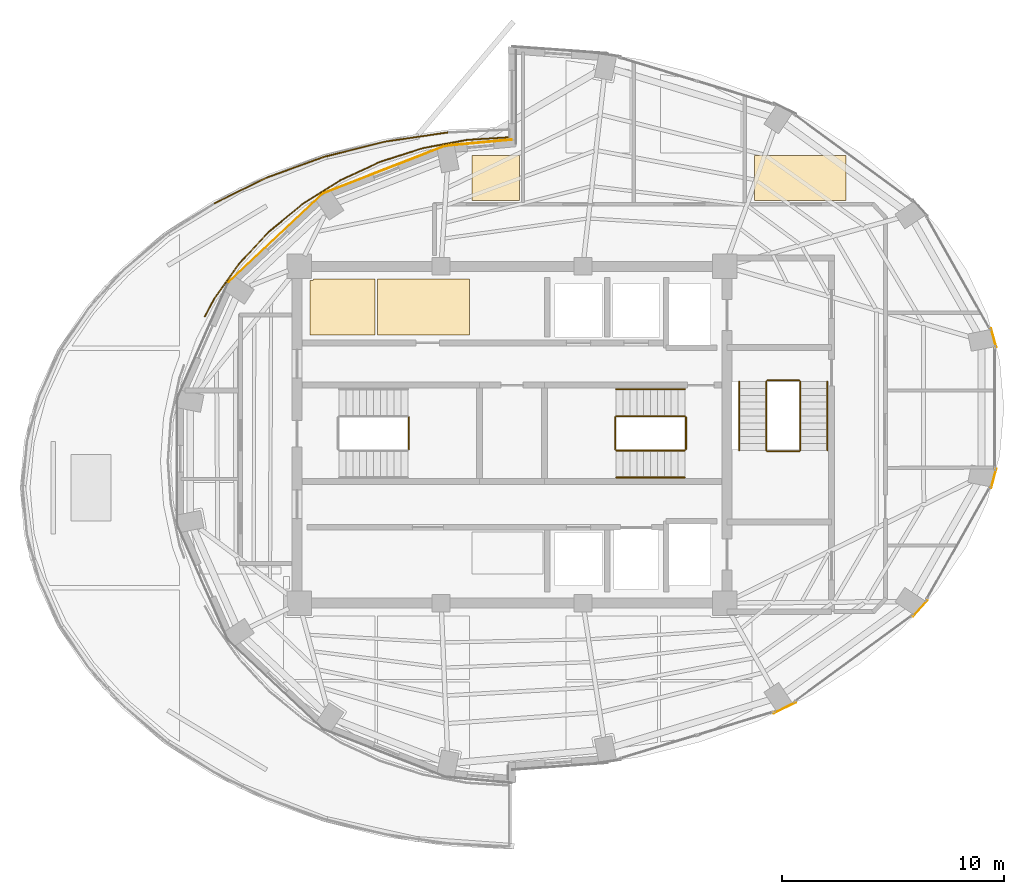
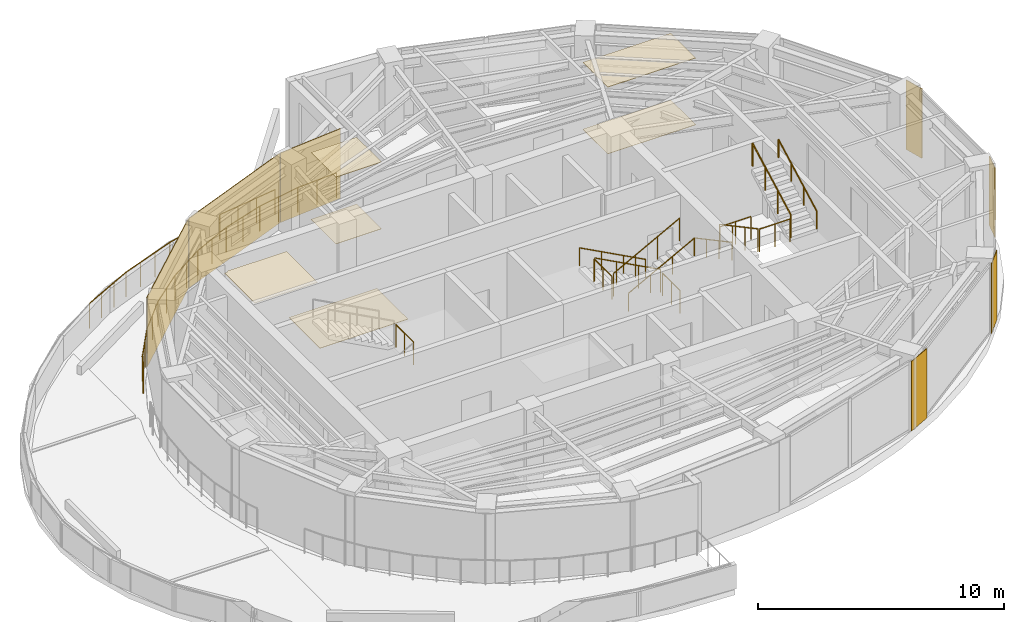
# One storey, part 14 of 15: 26 railings, 13 coverings.
"""IFC4 building model written with IfcOpenShell, lengths in metres."""

from ifc_helpers import new_model, si_unit, direction, frame, origin, origin_2d, place, context, subcontext, project, spatial, polyline, rectangle, circle, outline, extrude, material, layer, layer_set, type_object, element, save


model = new_model("IFC4")

# Units and contexts
model_context = context("Model", 3, precision=1e-05, world=origin(), true_north=direction((0.0, 1.0)))
body_context = subcontext(model_context, "Body", "Model", "MODEL_VIEW")
ifc_project = project(units=[si_unit("LENGTHUNIT", "METRE"), si_unit("AREAUNIT", "SQUARE_METRE"), si_unit("VOLUMEUNIT", "CUBIC_METRE"), si_unit("PLANEANGLEUNIT", "RADIAN"), si_unit("MASSUNIT", "GRAM", prefix="KILO")], contexts=[model_context])

# Site, building, storey
site_placement = place(None, origin())
site = spatial("IfcSite", under=ifc_project, at=site_placement, CompositionType="ELEMENT")
building_placement = place(site_placement, origin())
building = spatial("IfcBuilding", under=site, at=building_placement, Name="Lazwardi Medical Tower", CompositionType="ELEMENT")
storey_placement = place(building_placement, frame((0.0, 0.0, 269.615966796875)))
storey = spatial("IfcBuildingStorey", under=building, at=storey_placement, Name="L70", CompositionType="ELEMENT", Elevation=269.615966796875)

# Coverings
ifc_material_1 = material(Name="Anodised bronze aluminium cassette cladding", Category="aluminium")
ifc_layer_1 = layer(ifc_material_1, 0.030029296875)
ifc_layer_set_1 = layer_set([ifc_layer_1], Name="Anodised bronze aluminium cassette cladding")
covering_type_1 = type_object("IfcCoveringType", Name="COV-CLD-BRZ", PredefinedType="CLADDING", material=ifc_layer_set_1)
covering_1_placement = place(storey_placement, frame((48.311279296875, 15.6787109375, 0.0), z_axis=(0.0, 0.0, 1.0), x_axis=(0.897840141691, 0.440321564278, 0.0)))
element("IfcCovering", 1, at=covering_1_placement, inside=storey, type_object=covering_type_1, Name="L70 Mega-column bronze cassette cover M02", PredefinedType="CLADDING", context=body_context, shape_type="SweptSolid", body=[
    extrude(rectangle(XDim=1.110595703125, YDim=0.030029296875, at=origin_2d()), origin(), (0.0, 0.0, 1.0), 3.447998046875),
])
covering_2_placement = place(storey_placement, frame((54.42529296875, 20.165283203125, 0.0), z_axis=(0.0, 0.0, 1.0), x_axis=(0.673240970654, 0.739423150458, 0.0)))
element("IfcCovering", 2, at=covering_2_placement, inside=storey, type_object=covering_type_1, Name="L70 Mega-column bronze cassette cover M03", PredefinedType="CLADDING", context=body_context, shape_type="SweptSolid", body=[
    extrude(rectangle(XDim=0.98974609375, YDim=0.030029296875, at=origin_2d()), origin(), (0.0, 0.0, 1.0), 3.447998046875),
])
for number, where, z_axis, x_axis, name in (
    (3, (57.734130859375, 26.02734375, 0.0), (0.0, 0.0, 1.0), (0.261641748247, 0.96516506131, 0.0), "L70 Mega-column bronze cassette cover M04"),
    (4, (57.734130859375, 32.37255859375, 0.0), (0.0, 0.0, 1.0), (-0.261641748247, 0.96516506131, 0.0), "L70 Mega-column bronze cassette cover M05"),
):
    element("IfcCovering", number, at=place(storey_placement, frame(where, z_axis=z_axis, x_axis=x_axis)), inside=storey, type_object=covering_type_1, Name=name, PredefinedType="CLADDING", context=body_context, shape_type="SweptSolid", body=[
        extrude(rectangle(XDim=0.894287109375, YDim=0.030029296875, at=origin_2d()), origin(), (0.0, 0.0, 1.0), 3.447998046875),
    ])
covering_3_placement = place(storey_placement, frame((25.31201171875, 36.870361328125, 0.0), z_axis=(0.0, 0.0, 1.0), x_axis=(-0.728254960063, -0.685306291481, 0.0)))
element("IfcCovering", 5, at=covering_3_placement, inside=storey, type_object=covering_type_1, Name="L70 West drum ceramic/bronze cladding", PredefinedType="CLADDING", context=body_context, shape_type="SweptSolid", body=[
    extrude(rectangle(XDim=5.78125, YDim=0.030029296875, at=origin_2d()), origin(), (0.0, 0.0, 1.0), 3.447998046875),
])
ifc_material_2 = material(Name="Turquoise glazed ceramic tilework cladding", Category="masonry")
ifc_layer_2 = layer(ifc_material_2, 0.034912109375)
ifc_layer_set_2 = layer_set([ifc_layer_2], Name="Turquoise glazed ceramic tilework cladding")
covering_type_2 = type_object("IfcCoveringType", Name="COV-CLD-TRQ", PredefinedType="CLADDING", material=ifc_layer_set_2)
covering_4_placement = place(storey_placement, frame((30.216064453125, 39.956787109375, 0.0), z_axis=(0.0, 0.0, 1.0), x_axis=(-0.931720388261, -0.363176428337, 0.0)))
element("IfcCovering", 6, at=covering_4_placement, inside=storey, type_object=covering_type_2, Name="L70 West drum ceramic/bronze cladding", PredefinedType="CLADDING", context=body_context, shape_type="SweptSolid", body=[
    extrude(rectangle(XDim=5.904052734375, YDim=0.034912109375, at=origin_2d()), origin(), (0.0, 0.0, 1.0), 3.447998046875),
])
covering_5_placement = place(storey_placement, frame((34.4970703125, 41.177001953125, 0.0), z_axis=(0.0, 0.0, 1.0), x_axis=(-0.995733560537, -0.092275004312, 0.0)))
element("IfcCovering", 7, at=covering_5_placement, inside=storey, type_object=covering_type_2, Name="L70 Turquoise glazed ceramic tilework cladding", PredefinedType="CLADDING", context=body_context, shape_type="SweptSolid", body=[
    extrude(rectangle(XDim=2.985595703125, YDim=0.034912109375, at=origin_2d()), origin(), (0.0, 0.0, 1.0), 3.447998046875),
])
ifc_material_3 = material(Name="Acoustic mineral fibre tile")
ifc_layer_3 = layer(ifc_material_3, 0.02490234375)
ifc_layer_set_3 = layer_set([ifc_layer_3], Name="Acoustic mineral fibre tile")
covering_type_3 = type_object("IfcCoveringType", Name="COV-CLG-01", PredefinedType="CEILING", material=ifc_layer_set_3)
covering_6_placement = place(storey_placement, frame((0.0, 0.0, 3.302978515625)))
element("IfcCovering", 8, at=covering_6_placement, inside=storey, type_object=covering_type_3, Name="L70 Clinical Acoustic Ceiling 3", PredefinedType="CEILING", context=body_context, shape_type="SweptSolid", body=[
    extrude(outline(polyline([(29.82177734375, 35.02001953125), (27.04931640625, 35.02001953125), (27.048583984375, 35.014404296875), (27.046630859375, 35.0068359375), (27.0439453125, 34.99951171875), (27.04052734375, 34.9921875), (27.03662109375, 34.985595703125), (27.03173828125, 34.979248046875), (27.026611328125, 34.973388671875), (27.020751953125, 34.96826171875), (27.014404296875, 34.96337890625), (27.0078125, 34.95947265625), (27.00048828125, 34.9560546875), (26.9931640625, 34.953369140625), (26.985595703125, 34.951416015625), (26.977783203125, 34.950439453125), (26.969970703125, 34.949951171875), (26.8798828125, 34.949951171875), (26.8798828125, 32.5), (29.82177734375, 32.5), (29.82177734375, 35.02001953125)])), origin(), (0.0, 0.0, 1.0), 0.025146484375),
])
covering_7_placement = place(storey_placement, frame((0.0, 0.0, 3.302978515625)))
element("IfcCovering", 9, at=covering_7_placement, inside=storey, type_object=covering_type_3, Name="L70 Clinical Acoustic Ceiling 6", PredefinedType="CEILING", context=body_context, shape_type="SweptSolid", body=[
    extrude(outline(polyline([(34.19189453125, 38.574951171875), (36.3349609375, 38.574951171875), (36.3349609375, 40.596435546875), (34.19189453125, 40.596435546875), (34.19189453125, 38.574951171875)])), origin(), (0.0, 0.0, 1.0), 0.025146484375),
])
covering_8_placement = place(storey_placement, frame((0.0, 0.0, 3.302978515625)))
element("IfcCovering", 10, at=covering_8_placement, inside=storey, type_object=covering_type_3, Name="L70 Clinical Acoustic Ceiling 10", PredefinedType="CEILING", context=body_context, shape_type="SweptSolid", body=[
    extrude(outline(polyline([(46.94189453125, 38.574951171875), (51.07177734375, 38.574951171875), (51.07177734375, 40.596435546875), (46.94189453125, 40.596435546875), (46.94189453125, 38.574951171875)])), origin(), (0.0, 0.0, 1.0), 0.025146484375),
])
ifc_material_4 = material(Name="Anti-static hospital vinyl sheet flooring")
ifc_layer_4 = layer(ifc_material_4, 0.014892578125)
ifc_layer_set_4 = layer_set([ifc_layer_4], Name="Anti-static hospital vinyl sheet flooring")
covering_type_4 = type_object("IfcCoveringType", Name="COV-FLR-01", PredefinedType="FLOORING", material=ifc_layer_set_4)
covering_9_placement = place(storey_placement, origin())
element("IfcCovering", 11, at=covering_9_placement, inside=storey, type_object=covering_type_4, Name="L70 Clinical Vinyl Flooring 4", PredefinedType="FLOORING", context=body_context, shape_type="SweptSolid", body=[
    extrude(outline(polyline([(34.07177734375, 35.02001953125), (29.94189453125, 35.02001953125), (29.94189453125, 32.5), (34.07177734375, 32.5), (34.07177734375, 35.02001953125)])), origin(), (0.0, 0.0, 1.0), 0.01513671875),
])
covering_10_placement = place(storey_placement, origin())
element("IfcCovering", 12, at=covering_10_placement, inside=storey, type_object=covering_type_4, Name="L70 Clinical Vinyl Flooring 6", PredefinedType="FLOORING", context=body_context, shape_type="SweptSolid", body=[
    extrude(outline(polyline([(34.19189453125, 38.574951171875), (36.3349609375, 38.574951171875), (36.3349609375, 40.596435546875), (34.19189453125, 40.596435546875), (34.19189453125, 38.574951171875)])), origin(), (0.0, 0.0, 1.0), 0.01513671875),
])
covering_11_placement = place(storey_placement, origin())
element("IfcCovering", 13, at=covering_11_placement, inside=storey, type_object=covering_type_4, Name="L70 Clinical Vinyl Flooring 10", PredefinedType="FLOORING", context=body_context, shape_type="SweptSolid", body=[
    extrude(outline(polyline([(46.94189453125, 38.574951171875), (51.07177734375, 38.574951171875), (51.07177734375, 40.596435546875), (46.94189453125, 40.596435546875), (46.94189453125, 38.574951171875)])), origin(), (0.0, 0.0, 1.0), 0.01513671875),
])

# Railings
ifc_material_5 = material(Name="Stainless steel Grade 316", Category="steel")
railing_type_1 = type_object("IfcRailingType", Name="RLG-GRD-1150", PredefinedType="GUARDRAIL", material=ifc_material_5)
railing_1_placement = place(storey_placement, frame((31.35009765625, 27.340087890625, 1.823974609375)))
element("IfcRailing", 14, at=railing_1_placement, inside=storey, type_object=railing_type_1, Name="L70 ST1 stair guard 2", PredefinedType="GUARDRAIL", context=body_context, shape_type="SweptSolid", body=[
    extrude(circle(Radius=0.02392578125, at=origin_2d()), frame((0.0, 0.0, 1.1259765625), z_axis=(0.0, 1.0, 0.0), x_axis=(-1.0, 0.0, 0.0)), (0.0, 0.0, 1.0), 1.43994140625),
    extrude(circle(Radius=0.02099609375, at=origin_2d()), origin(), (0.0, 0.0, 1.0), 1.099853515625),
    extrude(circle(Radius=0.02099609375, at=origin_2d()), frame((0.0, 0.719970703125, 0.0)), (0.0, 0.0, 1.0), 1.099853515625),
    extrude(circle(Radius=0.02099609375, at=origin_2d()), frame((0.0, 1.43994140625, 0.0)), (0.0, 0.0, 1.0), 1.099853515625),
])
railing_2_placement = place(storey_placement, frame((43.800048828125, 28.830078125, 0.165771484375)))
element("IfcRailing", 15, at=railing_2_placement, inside=storey, type_object=railing_type_1, Name="L70 ST2 stair guard 1", PredefinedType="GUARDRAIL", context=body_context, shape_type="SweptSolid", body=[
    extrude(circle(Radius=0.02392578125, at=origin_2d()), frame((0.0, 0.0, 1.1259765625), z_axis=(-0.881783298633, 0.0, 0.471654761719), x_axis=(0.0, -1.0, 0.0)), (0.0, 0.0, 1.0), 3.515625),
    extrude(circle(Radius=0.02099609375, at=origin_2d()), origin(), (0.0, 0.0, 1.0), 1.099853515625),
    extrude(circle(Radius=0.02099609375, at=origin_2d()), frame((-1.033447265625, 0.0, 0.552734375)), (0.0, 0.0, 1.0), 1.099853515625),
    extrude(circle(Radius=0.02099609375, at=origin_2d()), frame((-2.066650390625, 0.0, 1.10546875)), (0.0, 0.0, 1.0), 1.099853515625),
    extrude(circle(Radius=0.02099609375, at=origin_2d()), frame((-3.10009765625, 0.0, 1.658203125)), (0.0, 0.0, 1.0), 1.099853515625),
])
railing_3_placement = place(storey_placement, frame((40.64990234375, 28.780029296875, 1.823974609375)))
element("IfcRailing", 16, at=railing_3_placement, inside=storey, type_object=railing_type_1, Name="L70 ST2 stair guard 2", PredefinedType="GUARDRAIL", context=body_context, shape_type="SweptSolid", body=[
    extrude(circle(Radius=0.02392578125, at=origin_2d()), frame((0.0, 0.0, 1.1259765625), z_axis=(0.0, -1.0, 0.0), x_axis=(1.0, 0.0, 0.0)), (0.0, 0.0, 1.0), 1.43994140625),
    extrude(circle(Radius=0.02099609375, at=origin_2d()), origin(), (0.0, 0.0, 1.0), 1.099853515625),
    extrude(circle(Radius=0.02099609375, at=origin_2d()), frame((0.0, -0.719970703125, 0.0)), (0.0, 0.0, 1.0), 1.099853515625),
    extrude(circle(Radius=0.02099609375, at=origin_2d()), frame((0.0, -1.43994140625, 0.0)), (0.0, 0.0, 1.0), 1.099853515625),
])
railing_4_placement = place(storey_placement, frame((40.699951171875, 27.2900390625, 1.98974609375)))
element("IfcRailing", 17, at=railing_4_placement, inside=storey, type_object=railing_type_1, Name="L70 ST2 stair guard 3", PredefinedType="GUARDRAIL", context=body_context, shape_type="SweptSolid", body=[
    extrude(circle(Radius=0.02392578125, at=origin_2d()), frame((0.0, 0.0, 1.1259765625), z_axis=(0.881783298633, 0.0, 0.471654761719), x_axis=(0.0, 1.0, 0.0)), (0.0, 0.0, 1.0), 3.515625),
    extrude(circle(Radius=0.02099609375, at=origin_2d()), origin(), (0.0, 0.0, 1.0), 1.099853515625),
    extrude(circle(Radius=0.02099609375, at=origin_2d()), frame((1.033447265625, 0.0, 0.552734375)), (0.0, 0.0, 1.0), 1.099853515625),
    extrude(circle(Radius=0.02099609375, at=origin_2d()), frame((2.066650390625, 0.0, 1.10546875)), (0.0, 0.0, 1.0), 1.099853515625),
    extrude(circle(Radius=0.02099609375, at=origin_2d()), frame((3.10009765625, 0.0, 1.658203125)), (0.0, 0.0, 1.0), 1.099853515625),
])
railing_5_placement = place(storey_placement, frame((43.85009765625, 28.780029296875, 0.0)))
element("IfcRailing", 18, at=railing_5_placement, inside=storey, type_object=railing_type_1, Name="L70 ST2 stair guard 4", PredefinedType="GUARDRAIL", context=body_context, shape_type="SweptSolid", body=[
    extrude(circle(Radius=0.02392578125, at=origin_2d()), frame((0.0, 0.0, 1.1259765625), z_axis=(0.0, -1.0, 0.0), x_axis=(1.0, 0.0, 0.0)), (0.0, 0.0, 1.0), 1.43994140625),
    extrude(circle(Radius=0.02099609375, at=origin_2d()), origin(), (0.0, 0.0, 1.0), 1.099853515625),
    extrude(circle(Radius=0.02099609375, at=origin_2d()), frame((0.0, -0.719970703125, 0.0)), (0.0, 0.0, 1.0), 1.099853515625),
    extrude(circle(Radius=0.02099609375, at=origin_2d()), frame((0.0, -1.43994140625, 0.0)), (0.0, 0.0, 1.0), 1.099853515625),
])
railing_6_placement = place(storey_placement, frame((47.469970703125, 30.39990234375, 0.165771484375)))
element("IfcRailing", 19, at=railing_6_placement, inside=storey, type_object=railing_type_1, Name="L70 ST3 stair guard 1", PredefinedType="GUARDRAIL", context=body_context, shape_type="SweptSolid", body=[
    extrude(circle(Radius=0.02392578125, at=origin_2d()), frame((0.0, 0.0, 1.1259765625), z_axis=(0.0, -0.881767849116, 0.471683644262), x_axis=(1.0, 0.0, 0.0)), (0.0, 0.0, 1.0), 3.515380859375),
    extrude(circle(Radius=0.02099609375, at=origin_2d()), origin(), (0.0, 0.0, 1.0), 1.099853515625),
    extrude(circle(Radius=0.02099609375, at=origin_2d()), frame((0.0, -1.033203125, 0.552734375)), (0.0, 0.0, 1.0), 1.099853515625),
    extrude(circle(Radius=0.02099609375, at=origin_2d()), frame((0.0, -2.066650390625, 1.10546875)), (0.0, 0.0, 1.0), 1.099853515625),
    extrude(circle(Radius=0.02099609375, at=origin_2d()), frame((0.0, -3.099853515625, 1.658203125)), (0.0, 0.0, 1.0), 1.099853515625),
])
railing_7_placement = place(storey_placement, frame((47.52001953125, 27.25, 1.823974609375)))
element("IfcRailing", 20, at=railing_7_placement, inside=storey, type_object=railing_type_1, Name="L70 ST3 stair guard 2", PredefinedType="GUARDRAIL", context=body_context, shape_type="SweptSolid", body=[
    extrude(circle(Radius=0.02392578125, at=origin_2d()), frame((0.0, 0.0, 1.1259765625), z_axis=(1.0, 0.0, 0.0), x_axis=(0.0, 1.0, 0.0)), (0.0, 0.0, 1.0), 1.43994140625),
    extrude(circle(Radius=0.02099609375, at=origin_2d()), origin(), (0.0, 0.0, 1.0), 1.099853515625),
    extrude(circle(Radius=0.02099609375, at=origin_2d()), frame((0.719970703125, 0.0, 0.0)), (0.0, 0.0, 1.0), 1.099853515625),
    extrude(circle(Radius=0.02099609375, at=origin_2d()), frame((1.43994140625, 0.0, 0.0)), (0.0, 0.0, 1.0), 1.099853515625),
])
railing_8_placement = place(storey_placement, frame((49.010009765625, 27.300048828125, 1.98974609375)))
element("IfcRailing", 21, at=railing_8_placement, inside=storey, type_object=railing_type_1, Name="L70 ST3 stair guard 3", PredefinedType="GUARDRAIL", context=body_context, shape_type="SweptSolid", body=[
    extrude(circle(Radius=0.02392578125, at=origin_2d()), frame((0.0, 0.0, 1.1259765625), z_axis=(0.0, 0.881767849116, 0.471683644262), x_axis=(-1.0, 0.0, 0.0)), (0.0, 0.0, 1.0), 3.515380859375),
    extrude(circle(Radius=0.02099609375, at=origin_2d()), origin(), (0.0, 0.0, 1.0), 1.099853515625),
    extrude(circle(Radius=0.02099609375, at=origin_2d()), frame((0.0, 1.033203125, 0.552734375)), (0.0, 0.0, 1.0), 1.099853515625),
    extrude(circle(Radius=0.02099609375, at=origin_2d()), frame((0.0, 2.066650390625, 1.10546875)), (0.0, 0.0, 1.0), 1.099853515625),
    extrude(circle(Radius=0.02099609375, at=origin_2d()), frame((0.0, 3.099853515625, 1.658203125)), (0.0, 0.0, 1.0), 1.099853515625),
])
railing_9_placement = place(storey_placement, frame((47.52001953125, 30.449951171875, 0.0)))
element("IfcRailing", 22, at=railing_9_placement, inside=storey, type_object=railing_type_1, Name="L70 ST3 stair guard 4", PredefinedType="GUARDRAIL", context=body_context, shape_type="SweptSolid", body=[
    extrude(circle(Radius=0.02392578125, at=origin_2d()), frame((0.0, 0.0, 1.1259765625), z_axis=(1.0, 0.0, 0.0), x_axis=(0.0, 1.0, 0.0)), (0.0, 0.0, 1.0), 1.43994140625),
    extrude(circle(Radius=0.02099609375, at=origin_2d()), origin(), (0.0, 0.0, 1.0), 1.099853515625),
    extrude(circle(Radius=0.02099609375, at=origin_2d()), frame((0.719970703125, 0.0, 0.0)), (0.0, 0.0, 1.0), 1.099853515625),
    extrude(circle(Radius=0.02099609375, at=origin_2d()), frame((1.43994140625, 0.0, 0.0)), (0.0, 0.0, 1.0), 1.099853515625),
])
railing_type_2 = type_object("IfcRailingType", Name="RLG-HND-920", PredefinedType="HANDRAIL", material=ifc_material_5)
railing_10_placement = place(storey_placement, frame((43.800048828125, 30.050048828125, 0.165771484375)))
element("IfcRailing", 23, at=railing_10_placement, inside=storey, type_object=railing_type_2, Name="L70 ST2 stair handrail 1", PredefinedType="HANDRAIL", context=body_context, shape_type="SweptSolid", body=[
    extrude(circle(Radius=0.02392578125, at=origin_2d()), frame((0.0, 0.0, 0.8857421875), z_axis=(-0.881783298633, 0.0, 0.471654761719), x_axis=(0.0, -1.0, 0.0)), (0.0, 0.0, 1.0), 3.515625),
    extrude(circle(Radius=0.02099609375, at=origin_2d()), origin(), (0.0, 0.0, 1.0), 0.85986328125),
    extrude(circle(Radius=0.02099609375, at=origin_2d()), frame((-1.033447265625, 0.0, 0.552734375)), (0.0, 0.0, 1.0), 0.85986328125),
    extrude(circle(Radius=0.02099609375, at=origin_2d()), frame((-2.066650390625, 0.0, 1.10546875)), (0.0, 0.0, 1.0), 0.85986328125),
    extrude(circle(Radius=0.02099609375, at=origin_2d()), frame((-3.10009765625, 0.0, 1.658203125)), (0.0, 0.0, 1.0), 0.85986328125),
])
railing_11_placement = place(storey_placement, frame((40.699951171875, 26.070068359375, 1.98974609375)))
element("IfcRailing", 24, at=railing_11_placement, inside=storey, type_object=railing_type_2, Name="L70 ST2 stair handrail 2", PredefinedType="HANDRAIL", context=body_context, shape_type="SweptSolid", body=[
    extrude(circle(Radius=0.02392578125, at=origin_2d()), frame((0.0, 0.0, 0.8857421875), z_axis=(0.881783298633, 0.0, 0.471654761719), x_axis=(0.0, 1.0, 0.0)), (0.0, 0.0, 1.0), 3.515625),
    extrude(circle(Radius=0.02099609375, at=origin_2d()), origin(), (0.0, 0.0, 1.0), 0.85986328125),
    extrude(circle(Radius=0.02099609375, at=origin_2d()), frame((1.033447265625, 0.0, 0.552734375)), (0.0, 0.0, 1.0), 0.85986328125),
    extrude(circle(Radius=0.02099609375, at=origin_2d()), frame((2.066650390625, 0.0, 1.10546875)), (0.0, 0.0, 1.0), 0.85986328125),
    extrude(circle(Radius=0.02099609375, at=origin_2d()), frame((3.10009765625, 0.0, 1.658203125)), (0.0, 0.0, 1.0), 0.85986328125),
])
railing_12_placement = place(storey_placement, frame((46.25, 30.39990234375, 0.165771484375)))
element("IfcRailing", 25, at=railing_12_placement, inside=storey, type_object=railing_type_2, Name="L70 ST3 stair handrail 1", PredefinedType="HANDRAIL", context=body_context, shape_type="SweptSolid", body=[
    extrude(circle(Radius=0.02392578125, at=origin_2d()), frame((0.0, 0.0, 0.8857421875), z_axis=(0.0, -0.881767849116, 0.471683644262), x_axis=(1.0, 0.0, 0.0)), (0.0, 0.0, 1.0), 3.515380859375),
    extrude(circle(Radius=0.02099609375, at=origin_2d()), origin(), (0.0, 0.0, 1.0), 0.85986328125),
    extrude(circle(Radius=0.02099609375, at=origin_2d()), frame((0.0, -1.033203125, 0.552734375)), (0.0, 0.0, 1.0), 0.85986328125),
    extrude(circle(Radius=0.02099609375, at=origin_2d()), frame((0.0, -2.066650390625, 1.10546875)), (0.0, 0.0, 1.0), 0.85986328125),
    extrude(circle(Radius=0.02099609375, at=origin_2d()), frame((0.0, -3.099853515625, 1.658203125)), (0.0, 0.0, 1.0), 0.85986328125),
])
railing_13_placement = place(storey_placement, frame((50.22998046875, 27.300048828125, 1.98974609375)))
element("IfcRailing", 26, at=railing_13_placement, inside=storey, type_object=railing_type_2, Name="L70 ST3 stair handrail 2", PredefinedType="HANDRAIL", context=body_context, shape_type="SweptSolid", body=[
    extrude(circle(Radius=0.02392578125, at=origin_2d()), frame((0.0, 0.0, 0.8857421875), z_axis=(0.0, 0.881767849116, 0.471683644262), x_axis=(-1.0, 0.0, 0.0)), (0.0, 0.0, 1.0), 3.515380859375),
    extrude(circle(Radius=0.02099609375, at=origin_2d()), origin(), (0.0, 0.0, 1.0), 0.85986328125),
    extrude(circle(Radius=0.02099609375, at=origin_2d()), frame((0.0, 1.033203125, 0.552734375)), (0.0, 0.0, 1.0), 0.85986328125),
    extrude(circle(Radius=0.02099609375, at=origin_2d()), frame((0.0, 2.066650390625, 1.10546875)), (0.0, 0.0, 1.0), 0.85986328125),
    extrude(circle(Radius=0.02099609375, at=origin_2d()), frame((0.0, 3.099853515625, 1.658203125)), (0.0, 0.0, 1.0), 0.85986328125),
])
ifc_material_6 = material(Name="Anodised bronze aluminium and laminated glass", Category="aluminium")
railing_type_3 = type_object("IfcRailingType", Name="RLG-SKG-1250", PredefinedType="GUARDRAIL", material=ifc_material_6)
railing_14_placement = place(storey_placement, frame((22.544677734375, 38.427001953125, 0.0)))
element("IfcRailing", 27, at=railing_14_placement, inside=storey, type_object=railing_type_3, Name="L70 West Roof Terrace Perimeter Guard 20", PredefinedType="GUARDRAIL", context=body_context, shape_type="SweptSolid", body=[
    extrude(circle(Radius=0.02392578125, at=origin_2d()), frame((0.0, 0.0, 1.22607421875), z_axis=(0.897759458666, 0.440486043338, 0.0), x_axis=(-0.440486043338, 0.897759458666, 0.0)), (0.0, 0.0, 1.0), 2.676025390625),
    extrude(circle(Radius=0.02099609375, at=origin_2d()), origin(), (0.0, 0.0, 1.0), 1.199951171875),
    extrude(circle(Radius=0.02099609375, at=origin_2d()), frame((0.80078125, 0.392822265625, 0.0)), (0.0, 0.0, 1.0), 1.199951171875),
    extrude(circle(Radius=0.02099609375, at=origin_2d()), frame((1.6015625, 0.785888671875, 0.0)), (0.0, 0.0, 1.0), 1.199951171875),
    extrude(circle(Radius=0.02099609375, at=origin_2d()), frame((2.40234375, 1.1787109375, 0.0)), (0.0, 0.0, 1.0), 1.199951171875),
])
railing_15_placement = place(storey_placement, frame((24.947021484375, 39.605712890625, 0.0)))
element("IfcRailing", 28, at=railing_15_placement, inside=storey, type_object=railing_type_3, Name="L70 West Roof Terrace Perimeter Guard 21", PredefinedType="GUARDRAIL", context=body_context, shape_type="SweptSolid", body=[
    extrude(circle(Radius=0.02392578125, at=origin_2d()), frame((0.0, 0.0, 1.22607421875), z_axis=(0.940278556558, 0.340405987136, 0.0), x_axis=(-0.340405987136, 0.940278556558, 0.0)), (0.0, 0.0, 1.0), 2.7568359375),
    extrude(circle(Radius=0.02099609375, at=origin_2d()), origin(), (0.0, 0.0, 1.0), 1.199951171875),
    extrude(circle(Radius=0.02099609375, at=origin_2d()), frame((0.864013671875, 0.312744140625, 0.0)), (0.0, 0.0, 1.0), 1.199951171875),
    extrude(circle(Radius=0.02099609375, at=origin_2d()), frame((1.728271484375, 0.625732421875, 0.0)), (0.0, 0.0, 1.0), 1.199951171875),
    extrude(circle(Radius=0.02099609375, at=origin_2d()), frame((2.59228515625, 0.9384765625, 0.0)), (0.0, 0.0, 1.0), 1.199951171875),
])
railing_16_placement = place(storey_placement, frame((27.539306640625, 40.544189453125, 0.0)))
element("IfcRailing", 29, at=railing_16_placement, inside=storey, type_object=railing_type_3, Name="L70 West Roof Terrace Perimeter Guard 22", PredefinedType="GUARDRAIL", context=body_context, shape_type="SweptSolid", body=[
    extrude(circle(Radius=0.02392578125, at=origin_2d()), frame((0.0, 0.0, 1.22607421875), z_axis=(0.970300063121, 0.241904500801, 0.0), x_axis=(-0.241904500801, 0.970300063121, 0.0)), (0.0, 0.0, 1.0), 2.82177734375),
    extrude(circle(Radius=0.02099609375, at=origin_2d()), origin(), (0.0, 0.0, 1.0), 1.199951171875),
    extrude(circle(Radius=0.02099609375, at=origin_2d()), frame((0.91259765625, 0.2275390625, 0.0)), (0.0, 0.0, 1.0), 1.199951171875),
    extrude(circle(Radius=0.02099609375, at=origin_2d()), frame((1.825439453125, 0.455078125, 0.0)), (0.0, 0.0, 1.0), 1.199951171875),
    extrude(circle(Radius=0.02099609375, at=origin_2d()), frame((2.738037109375, 0.6826171875, 0.0)), (0.0, 0.0, 1.0), 1.199951171875),
])
railing_17_placement = place(storey_placement, frame((30.27734375, 41.226806640625, 0.0)))
element("IfcRailing", 30, at=railing_17_placement, inside=storey, type_object=railing_type_3, Name="L70 West Roof Terrace Perimeter Guard 23", PredefinedType="GUARDRAIL", context=body_context, shape_type="SweptSolid", body=[
    extrude(circle(Radius=0.02392578125, at=origin_2d()), frame((0.0, 0.0, 1.22607421875), z_axis=(0.989501795723, 0.144520573831, 0.0), x_axis=(-0.144520573831, 0.989501795723, 0.0)), (0.0, 0.0, 1.0), 2.86669921875),
    extrude(circle(Radius=0.02099609375, at=origin_2d()), origin(), (0.0, 0.0, 1.0), 1.199951171875),
    extrude(circle(Radius=0.02099609375, at=origin_2d()), frame((0.945556640625, 0.13818359375, 0.0)), (0.0, 0.0, 1.0), 1.199951171875),
    extrude(circle(Radius=0.02099609375, at=origin_2d()), frame((1.89111328125, 0.276123046875, 0.0)), (0.0, 0.0, 1.0), 1.199951171875),
    extrude(circle(Radius=0.02099609375, at=origin_2d()), frame((2.836669921875, 0.414306640625, 0.0)), (0.0, 0.0, 1.0), 1.199951171875),
])
railing_18_placement = place(storey_placement, frame((35.8701171875, 41.422119140625, 0.0)))
element("IfcRailing", 31, at=railing_18_placement, inside=storey, type_object=railing_type_3, Name="L70 West Roof Terrace Perimeter Guard 26", PredefinedType="GUARDRAIL", context=body_context, shape_type="SweptSolid", body=[
    extrude(circle(Radius=0.02392578125, at=origin_2d()), frame((0.0, 0.0, 1.22607421875), z_axis=(-0.998111383006, -0.0614301808, 0.0), x_axis=(0.0614301808, -0.998111383006, 0.0)), (0.0, 0.0, 1.0), 1.891845703125),
    extrude(circle(Radius=0.02099609375, at=origin_2d()), origin(), (0.0, 0.0, 1.0), 1.199951171875),
    extrude(circle(Radius=0.02099609375, at=origin_2d()), frame((-0.944091796875, -0.05810546875, 0.0)), (0.0, 0.0, 1.0), 1.199951171875),
    extrude(circle(Radius=0.02099609375, at=origin_2d()), frame((-1.88818359375, -0.1162109375, 0.0)), (0.0, 0.0, 1.0), 1.199951171875),
])
railing_19_placement = place(storey_placement, frame((33.966064453125, 41.3037109375, 0.0)))
element("IfcRailing", 32, at=railing_19_placement, inside=storey, type_object=railing_type_3, Name="L70 West Roof Terrace Perimeter Guard 27", PredefinedType="GUARDRAIL", context=body_context, shape_type="SweptSolid", body=[
    extrude(circle(Radius=0.02392578125, at=origin_2d()), frame((0.0, 0.0, 1.22607421875), z_axis=(-0.982903795582, -0.184119875708, 0.0), x_axis=(0.184119875708, -0.982903795582, 0.0)), (0.0, 0.0, 1.0), 2.01025390625),
    extrude(circle(Radius=0.02099609375, at=origin_2d()), origin(), (0.0, 0.0, 1.0), 1.199951171875),
    extrude(circle(Radius=0.02099609375, at=origin_2d()), frame((-0.98779296875, -0.18505859375, 0.0)), (0.0, 0.0, 1.0), 1.199951171875),
    extrude(circle(Radius=0.02099609375, at=origin_2d()), frame((-1.975830078125, -0.3701171875, 0.0)), (0.0, 0.0, 1.0), 1.199951171875),
])
railing_20_placement = place(storey_placement, frame((31.974609375, 40.9296875, 0.0)))
element("IfcRailing", 33, at=railing_20_placement, inside=storey, type_object=railing_type_3, Name="L70 West Roof Terrace Perimeter Guard 28", PredefinedType="GUARDRAIL", context=body_context, shape_type="SweptSolid", body=[
    extrude(circle(Radius=0.02392578125, at=origin_2d()), frame((0.0, 0.0, 1.22607421875), z_axis=(-0.952535913873, -0.30442623537, 0.0), x_axis=(0.30442623537, -0.952535913873, 0.0)), (0.0, 0.0, 1.0), 2.00244140625),
    extrude(circle(Radius=0.02099609375, at=origin_2d()), origin(), (0.0, 0.0, 1.0), 1.199951171875),
    extrude(circle(Radius=0.02099609375, at=origin_2d()), frame((-0.95361328125, -0.3046875, 0.0)), (0.0, 0.0, 1.0), 1.199951171875),
    extrude(circle(Radius=0.02099609375, at=origin_2d()), frame((-1.907470703125, -0.609619140625, 0.0)), (0.0, 0.0, 1.0), 1.199951171875),
])
railing_21_placement = place(storey_placement, frame((30.052001953125, 40.314208984375, 0.0)))
element("IfcRailing", 34, at=railing_21_placement, inside=storey, type_object=railing_type_3, Name="L70 West Roof Terrace Perimeter Guard 29", PredefinedType="GUARDRAIL", context=body_context, shape_type="SweptSolid", body=[
    extrude(circle(Radius=0.02392578125, at=origin_2d()), frame((0.0, 0.0, 1.22607421875), z_axis=(-0.906995591672, -0.421140115268, 0.0), x_axis=(0.421140115268, -0.906995591672, 0.0)), (0.0, 0.0, 1.0), 1.991943359375),
    extrude(circle(Radius=0.02099609375, at=origin_2d()), origin(), (0.0, 0.0, 1.0), 1.199951171875),
    extrude(circle(Radius=0.02099609375, at=origin_2d()), frame((-0.9033203125, -0.41943359375, 0.0)), (0.0, 0.0, 1.0), 1.199951171875),
    extrude(circle(Radius=0.02099609375, at=origin_2d()), frame((-1.806640625, -0.8388671875, 0.0)), (0.0, 0.0, 1.0), 1.199951171875),
])
railing_22_placement = place(storey_placement, frame((28.230712890625, 39.46728515625, 0.0)))
element("IfcRailing", 35, at=railing_22_placement, inside=storey, type_object=railing_type_3, Name="L70 West Roof Terrace Perimeter Guard 30", PredefinedType="GUARDRAIL", context=body_context, shape_type="SweptSolid", body=[
    extrude(circle(Radius=0.02392578125, at=origin_2d()), frame((0.0, 0.0, 1.22607421875), z_axis=(-0.846414109789, -0.532525262077, 0.0), x_axis=(0.532525262077, -0.846414109789, 0.0)), (0.0, 0.0, 1.0), 1.978759765625),
    extrude(circle(Radius=0.02099609375, at=origin_2d()), origin(), (0.0, 0.0, 1.0), 1.199951171875),
    extrude(circle(Radius=0.02099609375, at=origin_2d()), frame((-0.83740234375, -0.52685546875, 0.0)), (0.0, 0.0, 1.0), 1.199951171875),
    extrude(circle(Radius=0.02099609375, at=origin_2d()), frame((-1.6748046875, -1.0537109375, 0.0)), (0.0, 0.0, 1.0), 1.199951171875),
])
railing_23_placement = place(storey_placement, frame((26.542236328125, 38.40380859375, 0.0)))
element("IfcRailing", 36, at=railing_23_placement, inside=storey, type_object=railing_type_3, Name="L70 West Roof Terrace Perimeter Guard 31", PredefinedType="GUARDRAIL", context=body_context, shape_type="SweptSolid", body=[
    extrude(circle(Radius=0.02392578125, at=origin_2d()), frame((0.0, 0.0, 1.22607421875), z_axis=(-0.771097078854, -0.636717594372, 0.0), x_axis=(0.636717594372, -0.771097078854, 0.0)), (0.0, 0.0, 1.0), 1.9638671875),
    extrude(circle(Radius=0.02099609375, at=origin_2d()), origin(), (0.0, 0.0, 1.0), 1.199951171875),
    extrude(circle(Radius=0.02099609375, at=origin_2d()), frame((-0.75732421875, -0.625244140625, 0.0)), (0.0, 0.0, 1.0), 1.199951171875),
    extrude(circle(Radius=0.02099609375, at=origin_2d()), frame((-1.514404296875, -1.25048828125, 0.0)), (0.0, 0.0, 1.0), 1.199951171875),
])
railing_24_placement = place(storey_placement, frame((25.015380859375, 37.1416015625, 0.0)))
element("IfcRailing", 37, at=railing_24_placement, inside=storey, type_object=railing_type_3, Name="L70 West Roof Terrace Perimeter Guard 32", PredefinedType="GUARDRAIL", context=body_context, shape_type="SweptSolid", body=[
    extrude(circle(Radius=0.02392578125, at=origin_2d()), frame((0.0, 0.0, 1.22607421875), z_axis=(-0.681541168311, -0.731779772813, 0.0), x_axis=(0.731779772813, -0.681541168311, 0.0)), (0.0, 0.0, 1.0), 1.94873046875),
    extrude(circle(Radius=0.02099609375, at=origin_2d()), origin(), (0.0, 0.0, 1.0), 1.199951171875),
    extrude(circle(Radius=0.02099609375, at=origin_2d()), frame((-0.6640625, -0.712890625, 0.0)), (0.0, 0.0, 1.0), 1.199951171875),
    extrude(circle(Radius=0.02099609375, at=origin_2d()), frame((-1.328125, -1.426025390625, 0.0)), (0.0, 0.0, 1.0), 1.199951171875),
])
railing_25_placement = place(storey_placement, frame((23.676513671875, 35.7021484375, 0.0)))
element("IfcRailing", 38, at=railing_25_placement, inside=storey, type_object=railing_type_3, Name="L70 West Roof Terrace Perimeter Guard 33", PredefinedType="GUARDRAIL", context=body_context, shape_type="SweptSolid", body=[
    extrude(circle(Radius=0.02392578125, at=origin_2d()), frame((0.0, 0.0, 1.22607421875), z_axis=(-0.578847213675, -0.815436020311, 0.0), x_axis=(0.815436020311, -0.578847213675, 0.0)), (0.0, 0.0, 1.0), 1.933837890625),
    extrude(circle(Radius=0.02099609375, at=origin_2d()), origin(), (0.0, 0.0, 1.0), 1.199951171875),
    extrude(circle(Radius=0.02099609375, at=origin_2d()), frame((-0.5595703125, -0.78857421875, 0.0)), (0.0, 0.0, 1.0), 1.199951171875),
    extrude(circle(Radius=0.02099609375, at=origin_2d()), frame((-1.119384765625, -1.576904296875, 0.0)), (0.0, 0.0, 1.0), 1.199951171875),
])
railing_26_placement = place(storey_placement, frame((22.548095703125, 34.1103515625, 0.0)))
element("IfcRailing", 39, at=railing_26_placement, inside=storey, type_object=railing_type_3, Name="L70 West Roof Terrace Perimeter Guard 34", PredefinedType="GUARDRAIL", context=body_context, shape_type="SweptSolid", body=[
    extrude(circle(Radius=0.02392578125, at=origin_2d()), frame((0.0, 0.0, 1.22607421875), z_axis=(-0.463860188567, -0.885908418214, 0.0), x_axis=(0.885908418214, -0.463860188567, 0.0)), (0.0, 0.0, 1.0), 0.8701171875),
    extrude(circle(Radius=0.02099609375, at=origin_2d()), origin(), (0.0, 0.0, 1.0), 1.199951171875),
    extrude(circle(Radius=0.02099609375, at=origin_2d()), frame((-0.403564453125, -0.770751953125, 0.0)), (0.0, 0.0, 1.0), 1.199951171875),
])

save(model, "model.ifc")
